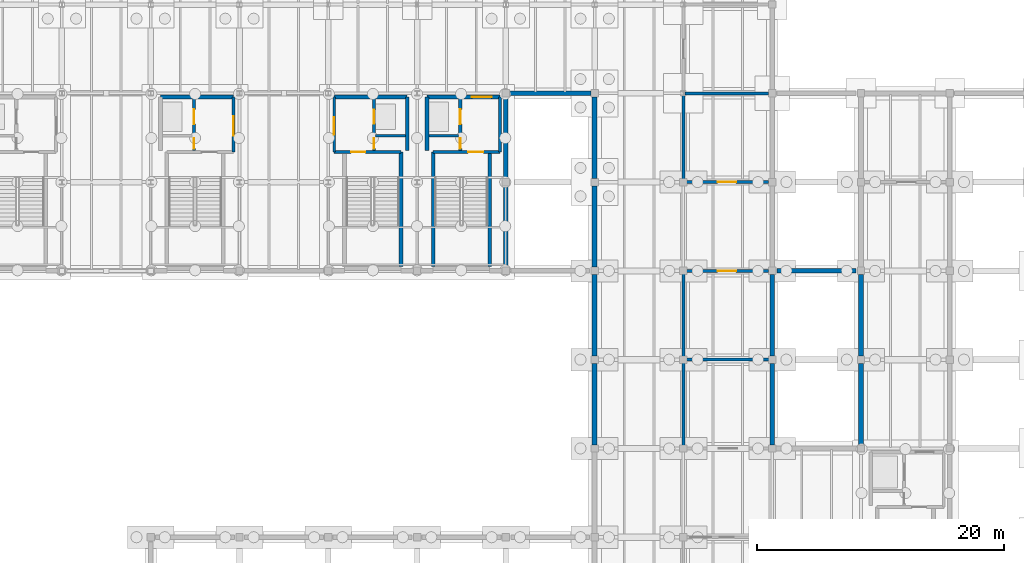
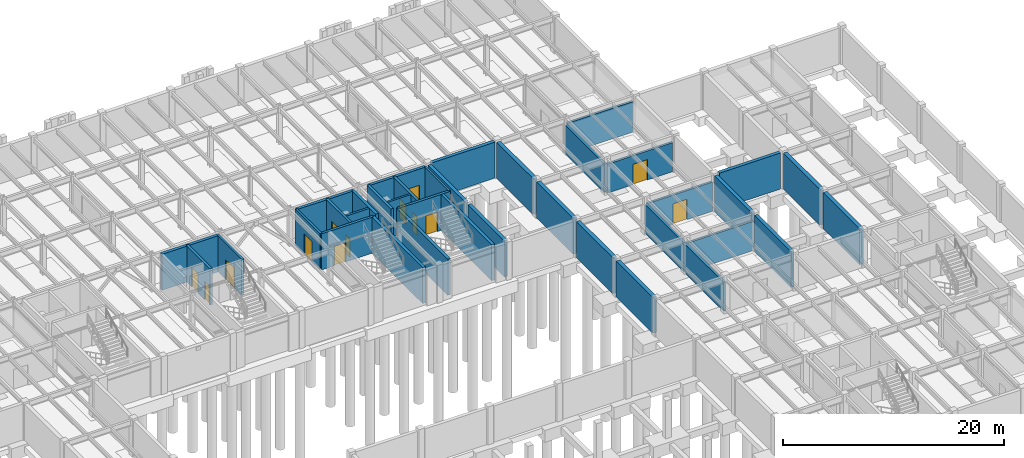
# One storey, part 36 of 46: 37 walls, 13 doors, 13 openings.
"""IFC4 building model written with IfcOpenShell, lengths in metres."""

import ifcopenshell
import ifcopenshell.guid

model = None  # the IFC model being written
_history = None  # IfcOwnerHistory: only IFC2X3 demands one
_inside = {}  # id of a spatial element -> (the spatial element, [elements in it])
_under = {}  # id of a project, library or spatial element -> (it, [spatial elements below it])
_declared = {}  # id of a project -> (the project, [libraries it declares])
_typed = {}  # id of a type object -> (the type object, [elements of that type])
_made_of = {}  # id of a material, layer set ... -> (it, [elements and type objects made of it])


def new_model(schema):
    """Start an empty IFC model of exactly this schema.

    Asked for "IFC4X3", IfcOpenShell would pick the latest addendum, in which some entities
    have other attributes; the version numbers below select the first issue.
    IFC2X3 requires an IfcOwnerHistory on every rooted entity: one is made here for all.
    """
    global model, _history
    if schema == "IFC4X3":
        model = ifcopenshell.file(schema_version=(4, 3, 0, 0))
    else:
        model = ifcopenshell.file(schema=schema)
    _inside.clear()
    _under.clear()
    _declared.clear()
    _typed.clear()
    _made_of.clear()
    _history = None
    if model.schema == "IFC2X3":
        org = make("IfcOrganization", Name="unknown")
        user = make(
            "IfcPersonAndOrganization",
            ThePerson=make("IfcPerson", FamilyName="unknown"),
            TheOrganization=org,
        )
        app = make(
            "IfcApplication",
            ApplicationDeveloper=org,
            Version="unknown",
            ApplicationFullName="unknown",
            ApplicationIdentifier="unknown",
        )
        _history = make(
            "IfcOwnerHistory",
            OwningUser=user,
            OwningApplication=app,
            ChangeAction="ADDED",
            CreationDate=0,
        )
    return model


def make(cls, **values):
    """One entity of the class cls with the attributes given. An attribute that is None is left unset."""
    return model.create_entity(
        cls, **{name: value for name, value in values.items() if value is not None}
    )


def rooted(cls, **values):
    """An entity with a GlobalId (a new one), such as an element, a storey or a relation."""
    return make(cls, GlobalId=ifcopenshell.guid.new(), OwnerHistory=_history, **values)


def si_unit(unit_type, name, prefix=None):
    """IfcSIUnit, for example si_unit("LENGTHUNIT", "METRE", prefix="MILLI")."""
    return make("IfcSIUnit", UnitType=unit_type, Prefix=prefix, Name=name)


def assignment(units):
    """IfcUnitAssignment: the units of a project."""
    return None if units is None else make("IfcUnitAssignment", Units=units)


def point(xyz):
    """IfcCartesianPoint."""
    return None if xyz is None else make("IfcCartesianPoint", Coordinates=xyz)


def direction(xyz):
    """IfcDirection."""
    return None if xyz is None else make("IfcDirection", DirectionRatios=xyz)


def frame(location, z_axis=None, x_axis=None):
    """IfcAxis2Placement3D, a coordinate frame: its origin and axes. An axis left out is left unset."""
    return make(
        "IfcAxis2Placement3D",
        Location=point(location),
        Axis=direction(z_axis),
        RefDirection=direction(x_axis),
    )


def frame_2d(location, x_axis=None):
    """IfcAxis2Placement2D, a coordinate frame in the plane: its origin and x axis."""
    return make(
        "IfcAxis2Placement2D", Location=point(location), RefDirection=direction(x_axis)
    )


def origin():
    """The frame at (0, 0, 0) with its axes left unset."""
    return frame((0.0, 0.0, 0.0))


def place(relative_to, where):
    """IfcLocalPlacement: puts the frame where relative to a parent placement (None: the world)."""
    return make(
        "IfcLocalPlacement", PlacementRelTo=relative_to, RelativePlacement=where
    )


def context(
    kind, dimensions, precision=None, world=None, true_north=None, identifier=None
):
    """IfcGeometricRepresentationContext, for example the 3D "Model" context."""
    return make(
        "IfcGeometricRepresentationContext",
        ContextIdentifier=identifier,
        ContextType=kind,
        CoordinateSpaceDimension=dimensions,
        Precision=precision,
        WorldCoordinateSystem=world,
        TrueNorth=true_north,
    )


def subcontext(parent, identifier, kind, view, scale=None):
    """IfcGeometricRepresentationSubContext, for example "Body" below "Model"."""
    return make(
        "IfcGeometricRepresentationSubContext",
        ContextIdentifier=identifier,
        ContextType=kind,
        ParentContext=parent,
        TargetScale=scale,
        TargetView=view,
    )


def project(units=None, contexts=None):
    """IfcProject with its units and contexts."""
    return rooted(
        "IfcProject",
        Name="project",
        RepresentationContexts=contexts,
        UnitsInContext=assignment(units),
    )


def spatial(cls, under=None, at=None, **own):
    """A site, building, storey or space (cls), placed at a placement, below another one or the project."""
    s = rooted(cls, ObjectPlacement=at, **own)
    if under is not None:
        _under.setdefault(under.id(), (under, []))[1].append(s)
    return s


def profile(cls, at=None, kind="AREA", **sizes):
    """A parametric profile (cls). Its sizes go by their IFC names, for example OverallWidth=200.0."""
    return make(cls, ProfileType=kind, Position=at, **sizes)


def rectangle(**sizes):
    """IfcRectangleProfileDef."""
    return profile("IfcRectangleProfileDef", **sizes)


def extrude(swept, where, along, depth):
    """IfcExtrudedAreaSolid: the profile swept, set in the frame where, extruded along a direction by depth."""
    return make(
        "IfcExtrudedAreaSolid",
        SweptArea=swept,
        Position=where,
        ExtrudedDirection=direction(along),
        Depth=depth,
    )


def shape(context_of_items, identifier, shape_type, items):
    """IfcShapeRepresentation: the items that make up one representation, for example the "Body"."""
    return make(
        "IfcShapeRepresentation",
        ContextOfItems=context_of_items,
        RepresentationIdentifier=identifier,
        RepresentationType=shape_type,
        Items=items,
    )


def material(Name=None, Category=None):
    """IfcMaterial."""
    return make("IfcMaterial", Name=Name, Category=Category)


def layer(
    of_material, thickness, ventilated=None, Name=None, Category=None, Priority=None
):
    """IfcMaterialLayer: one layer of a wall or slab, of a material (None: an air gap)."""
    return make(
        "IfcMaterialLayer",
        Material=of_material,
        LayerThickness=thickness,
        IsVentilated=ventilated,
        Name=Name,
        Category=Category,
        Priority=Priority,
    )


def layer_set(layers, Name=None):
    """IfcMaterialLayerSet."""
    return make("IfcMaterialLayerSet", MaterialLayers=layers, LayerSetName=Name)


def made_of(thing, what):
    """Note that an element or type object is made of a material, layer set ...; save() writes the relation."""
    if what is not None:
        _made_of.setdefault(what.id(), (what, []))[1].append(thing)
    return thing


def type_object(cls, material=None, **own):
    """A type object (cls), such as IfcWallType, which elements share."""
    return made_of(rooted(cls, **own), material)


def element(
    cls,
    number,
    at=None,
    inside=None,
    cuts=None,
    type_object=None,
    material=None,
    context=None,
    identifier="Body",
    shape_type=None,
    held_by="IfcProductDefinitionShape",
    body=None,
    shapes=None,
    **own,
):
    """One element of the class cls, such as IfcWall. Its Tag is "e" and its number.

    at: its placement. inside: the storey or other place that contains it. cuts: it is an
    opening in that element (IfcRelVoidsElement). A single representation is given by context,
    identifier, shape_type and body (its items); several are given by shapes. held_by: the class
    of the entity that holds the representations. save() writes the other relations.
    """
    e = rooted(cls, Tag="e%d" % number, ObjectPlacement=at, **own)
    if body is not None:
        shapes = [shape(context, identifier, shape_type, body)]
    if shapes is not None:
        e.Representation = make(held_by, Representations=shapes)
    if inside is not None:
        _inside.setdefault(inside.id(), (inside, []))[1].append(e)
    if cuts is not None:
        rooted(
            "IfcRelVoidsElement", RelatingBuildingElement=cuts, RelatedOpeningElement=e
        )
    if type_object is not None:
        _typed.setdefault(type_object.id(), (type_object, []))[1].append(e)
    return made_of(e, material)


def fill(opening, filler):
    """IfcRelFillsElement: the door or window that sits in an opening."""
    return rooted(
        "IfcRelFillsElement",
        RelatingOpeningElement=opening,
        RelatedBuildingElement=filler,
    )


def aggregate(whole, parts):
    """IfcRelAggregates: a whole, such as a stair, and the parts it consists of."""
    return rooted("IfcRelAggregates", RelatingObject=whole, RelatedObjects=parts)


def save(model, path):
    """Write the relations noted so far, then the file.

    IfcRelAggregates (storeys below a building ...), IfcRelContainedInSpatialStructure (elements
    in a storey), IfcRelDefinesByType, IfcRelAssociatesMaterial and IfcRelDeclares: one each for
    every whole, place, type object, material and project.
    """
    for whole, parts in _under.values():
        aggregate(whole, parts)
    for where, things in _inside.values():
        rooted(
            "IfcRelContainedInSpatialStructure",
            RelatedElements=things,
            RelatingStructure=where,
        )
    for kind, things in _typed.values():
        rooted("IfcRelDefinesByType", RelatedObjects=things, RelatingType=kind)
    for what, things in _made_of.values():
        rooted("IfcRelAssociatesMaterial", RelatedObjects=things, RelatingMaterial=what)
    for by, libraries in _declared.values():
        rooted("IfcRelDeclares", RelatingContext=by, RelatedDefinitions=libraries)
    model.write(path)


model = new_model("IFC4")

# Units and contexts
model_context = context("Model", 3, precision=1e-05, world=origin(), true_north=direction((0.0, 1.0)))
body_context = subcontext(model_context, "Body", "Model", "MODEL_VIEW")
ifc_project = project(units=[si_unit("LENGTHUNIT", "METRE"), si_unit("AREAUNIT", "SQUARE_METRE"), si_unit("VOLUMEUNIT", "CUBIC_METRE"), si_unit("PLANEANGLEUNIT", "RADIAN"), si_unit("MASSUNIT", "GRAM", prefix="KILO")], contexts=[model_context])

# Site, building, storey
site_placement = place(None, origin())
site = spatial("IfcSite", under=ifc_project, at=site_placement, CompositionType="ELEMENT")
building_placement = place(site_placement, origin())
building = spatial("IfcBuilding", under=site, at=building_placement, Name="Sillqori Civic Hall", CompositionType="ELEMENT")
storey_placement = place(building_placement, frame((0.0, 0.0, -4.199951171875)))
storey = spatial("IfcBuildingStorey", under=building, at=storey_placement, Name="B01", CompositionType="ELEMENT", Elevation=-4.199951171875)

# Wall, opening, door
ifc_material_1 = material(Name="Concrete C35/45 (H35)", Category="concrete")
ifc_layer_1 = layer(ifc_material_1, 0.219970703125)
ifc_layer_set_1 = layer_set([ifc_layer_1], Name="Concrete C35/45 (H35)")
wall_type_1 = type_object("IfcWallType", Name="CW-SHR-220", PredefinedType="SHEAR", material=ifc_layer_set_1)
wall_1_placement = place(storey_placement, frame((71.52001953125, 93.300048828125, 0.0), z_axis=(0.0, 0.0, 1.0), x_axis=(0.0, -1.0, 0.0)))
wall_1 = element("IfcWall", 1, at=wall_1_placement, inside=storey, type_object=wall_type_1, Name="B01 C6 firefighting lobby enclosure wall", PredefinedType="SHEAR", context=body_context, shape_type="SweptSolid", body=[
    extrude(rectangle(XDim=4.449951171875, YDim=0.219970703125, at=frame_2d((2.22509765625, 0.0))), origin(), (0.0, 0.0, 1.0), 3.97998046875),
])
opening_1_placement = place(wall_1_placement, frame((1.550048828125, 0.0, 0.0)))
opening_1 = element("IfcOpeningElement", 2, at=opening_1_placement, cuts=wall_1, Name="Opening FD-04", PredefinedType="OPENING", context=body_context, shape_type="SweptSolid", body=[
    extrude(rectangle(XDim=1.60009765625, YDim=2.199951171875, at=frame_2d((0.800048828125, 1.10009765625))), frame((0.0, 0.119873046875, 0.0), z_axis=(0.0, -1.0, 0.0), x_axis=(1.0, 0.0, 0.0)), (0.0, 0.0, 1.0), 0.239990234375),
])
ifc_material_2 = material(Name="Double-Leaf Firefighting Lobby Door", Category="steel")
door_type_1 = type_object("IfcDoorType", Name="FDR-LOB-160X220", OperationType="NOTDEFINED", PredefinedType="DOOR", material=ifc_material_2)
door_1_placement = place(opening_1_placement, origin())
door_1 = element("IfcDoor", 3, at=door_1_placement, inside=storey, type_object=door_type_1, Name="B01 C6 firefighting lobby exit door", OperationType="DOUBLE_DOOR_SINGLE_SWING", OverallHeight=2.199951171875, OverallWidth=1.60009765625, PredefinedType="DOOR", context=body_context, shape_type="SweptSolid", body=[
    extrude(rectangle(XDim=1.60009765625, YDim=2.199951171875, at=frame_2d((0.800048828125, 1.10009765625))), frame((0.0, 0.02490234375, 0.0), z_axis=(0.0, -1.0, 0.0), x_axis=(1.0, 0.0, 0.0)), (0.0, 0.0, 1.0), 0.050048828125),
])
fill(opening_1, door_1)

# Wall
wall_2_placement = place(storey_placement, frame((83.050048828125, 90.14990234375, 0.0), z_axis=(0.0, 0.0, 1.0), x_axis=(1.0, 0.0, 0.0)))
element("IfcWall", 4, at=wall_2_placement, inside=storey, type_object=wall_type_1, Name="B01 C7 Lift-riser divider wall", PredefinedType="SHEAR", context=body_context, shape_type="SweptSolid", body=[
    extrude(rectangle(XDim=2.39990234375, YDim=0.219970703125, at=frame_2d((1.199951171875, 0.0))), origin(), (0.0, 0.0, 1.0), 3.97998046875),
])

# Wall, opening, door
wall_3_placement = place(storey_placement, frame((79.679931640625, 88.85009765625, 0.0), z_axis=(0.0, 0.0, 1.0), x_axis=(0.0, 1.0, 0.0)))
wall_3 = element("IfcWall", 5, at=wall_3_placement, inside=storey, type_object=wall_type_1, Name="B01 C7 firefighting lobby enclosure wall", PredefinedType="SHEAR", context=body_context, shape_type="SweptSolid", body=[
    extrude(rectangle(XDim=4.449951171875, YDim=0.219970703125, at=frame_2d((2.22509765625, 0.0))), origin(), (0.0, 0.0, 1.0), 3.97998046875),
])
opening_2_placement = place(wall_3_placement, frame((1.375, 0.0, 0.0)))
opening_2 = element("IfcOpeningElement", 6, at=opening_2_placement, cuts=wall_3, Name="Opening FD-03", PredefinedType="OPENING", context=body_context, shape_type="SweptSolid", body=[
    extrude(rectangle(XDim=1.449951171875, YDim=2.199951171875, at=frame_2d((0.72509765625, 1.10009765625))), frame((0.0, 0.119873046875, 0.0), z_axis=(0.0, -1.0, 0.0), x_axis=(1.0, 0.0, 0.0)), (0.0, 0.0, 1.0), 0.239990234375),
])
ifc_material_3 = material(Name="Double-Leaf Smoke-Seal Lobby Door", Category="steel")
door_type_2 = type_object("IfcDoorType", Name="FDR-LOB-145X220", OperationType="NOTDEFINED", PredefinedType="DOOR", material=ifc_material_3)
door_2_placement = place(opening_2_placement, origin())
door_2 = element("IfcDoor", 7, at=door_2_placement, inside=storey, type_object=door_type_2, Name="B01 C7 firefighting lobby exit door", OperationType="DOUBLE_DOOR_SINGLE_SWING", OverallHeight=2.199951171875, OverallWidth=1.449951171875, PredefinedType="DOOR", context=body_context, shape_type="SweptSolid", body=[
    extrude(rectangle(XDim=1.449951171875, YDim=2.199951171875, at=frame_2d((0.72509765625, 1.10009765625))), frame((0.0, 0.02490234375, 0.0), z_axis=(0.0, -1.0, 0.0), x_axis=(1.0, 0.0, 0.0)), (0.0, 0.0, 1.0), 0.050048828125),
])
fill(opening_2, door_2)

# Walls
wall_4_placement = place(storey_placement, frame((87.35009765625, 90.14990234375, 0.0), z_axis=(0.0, 0.0, 1.0), x_axis=(1.0, 0.0, 0.0)))
element("IfcWall", 8, at=wall_4_placement, inside=storey, type_object=wall_type_1, Name="B01 C8 Lift-riser divider wall", PredefinedType="SHEAR", context=body_context, shape_type="SweptSolid", body=[
    extrude(rectangle(XDim=2.39990234375, YDim=0.219970703125, at=frame_2d((1.199951171875, 0.0))), origin(), (0.0, 0.0, 1.0), 3.97998046875),
])
wall_5_placement = place(storey_placement, frame((93.1201171875, 93.300048828125, 0.0), z_axis=(0.0, 0.0, 1.0), x_axis=(0.0, -1.0, 0.0)))
element("IfcWall", 9, at=wall_5_placement, inside=storey, type_object=wall_type_1, Name="B01 C8 firefighting lobby enclosure wall", PredefinedType="SHEAR", context=body_context, shape_type="SweptSolid", body=[
    extrude(rectangle(XDim=4.449951171875, YDim=0.219970703125, at=frame_2d((2.22509765625, 0.0))), origin(), (0.0, 0.0, 1.0), 3.97998046875),
])

# Wall, openings, doors
ifc_layer_2 = layer(ifc_material_1, 0.260009765625)
ifc_layer_set_2 = layer_set([ifc_layer_2], Name="Concrete C35/45 (H35)")
wall_type_2 = type_object("IfcWallType", Name="CW-SHR-260", PredefinedType="SHEAR", material=ifc_layer_set_2)
wall_6_placement = place(storey_placement, frame((68.300048828125, 93.300048828125, 0.0), z_axis=(0.0, 0.0, 1.0), x_axis=(0.0, -1.0, 0.0)))
wall_6 = element("IfcWall", 10, at=wall_6_placement, inside=storey, type_object=wall_type_2, Name="B01 C6 Lift landing & riser front wall", PredefinedType="SHEAR", context=body_context, shape_type="SweptSolid", body=[
    extrude(rectangle(XDim=4.320068359375, YDim=0.260009765625, at=frame_2d((2.16015625, 0.0))), origin(), (0.0, 0.0, 1.0), 3.97998046875),
])
opening_3_placement = place(wall_6_placement, frame((1.0, 0.0, 0.0)))
opening_3 = element("IfcOpeningElement", 11, at=opening_3_placement, cuts=wall_6, Name="Opening LD-02", PredefinedType="OPENING", context=body_context, shape_type="SweptSolid", body=[
    extrude(rectangle(XDim=1.199951171875, YDim=2.14990234375, at=frame_2d((0.60009765625, 1.074951171875))), frame((0.0, 0.139892578125, 0.0), z_axis=(0.0, -1.0, 0.0), x_axis=(1.0, 0.0, 0.0)), (0.0, 0.0, 1.0), 0.280029296875),
])
opening_4_placement = place(wall_6_placement, frame((3.324951171875, 0.0, 0.0)))
opening_4 = element("IfcOpeningElement", 12, at=opening_4_placement, cuts=wall_6, Name="Opening FD-05", PredefinedType="OPENING", context=body_context, shape_type="SweptSolid", body=[
    extrude(rectangle(XDim=0.85009765625, YDim=2.050048828125, at=frame_2d((0.425048828125, 1.02490234375))), frame((0.0, 0.139892578125, 0.0), z_axis=(0.0, -1.0, 0.0), x_axis=(1.0, 0.0, 0.0)), (0.0, 0.0, 1.0), 0.280029296875),
])
ifc_material_4 = material(Name="Steel Riser Access Fire Door", Category="steel")
door_type_3 = type_object("IfcDoorType", Name="FDR-RSR-085X205", OperationType="NOTDEFINED", PredefinedType="DOOR", material=ifc_material_4)
door_3_placement = place(opening_4_placement, origin())
door_3 = element("IfcDoor", 13, at=door_3_placement, inside=storey, type_object=door_type_3, Name="B01 MEP riser C6 fire access door", OperationType="SINGLE_SWING_LEFT", OverallHeight=2.050048828125, OverallWidth=0.85009765625, PredefinedType="DOOR", context=body_context, shape_type="SweptSolid", body=[
    extrude(rectangle(XDim=0.85009765625, YDim=2.050048828125, at=frame_2d((0.425048828125, 1.02490234375))), frame((0.0, 0.02490234375, 0.0), z_axis=(0.0, -1.0, 0.0), x_axis=(1.0, 0.0, 0.0)), (0.0, 0.0, 1.0), 0.050048828125),
])
fill(opening_4, door_3)
ifc_material_5 = material(Name="Firefighting Lift Landing Door", Category="steel")
door_type_4 = type_object("IfcDoorType", Name="LDR-FIRE-120X215", OperationType="NOTDEFINED", PredefinedType="DOOR", material=ifc_material_5)
door_4_placement = place(opening_3_placement, origin())
door_4 = element("IfcDoor", 14, at=door_4_placement, inside=storey, type_object=door_type_4, Name="B01 lift LF-01 sliding landing door", OperationType="DOUBLE_DOOR_SLIDING", OverallHeight=2.14990234375, OverallWidth=1.199951171875, PredefinedType="DOOR", context=body_context, shape_type="SweptSolid", body=[
    extrude(rectangle(XDim=1.199951171875, YDim=2.14990234375, at=frame_2d((0.60009765625, 1.074951171875))), frame((0.0, 0.02490234375, 0.0), z_axis=(0.0, -1.0, 0.0), x_axis=(1.0, 0.0, 0.0)), (0.0, 0.0, 1.0), 0.050048828125),
])
fill(opening_3, door_4)

# Wall, opening, door
wall_7_placement = place(storey_placement, frame((79.679931640625, 88.85009765625, 0.0), z_axis=(0.0, 0.0, 1.0), x_axis=(1.0, 0.0, 0.0)))
wall_7 = element("IfcWall", 15, at=wall_7_placement, inside=storey, type_object=wall_type_2, Name="B01 C7 Stair-lobby fire wall", PredefinedType="SHEAR", context=body_context, shape_type="SweptSolid", body=[
    extrude(rectangle(XDim=5.41015625, YDim=0.260009765625, at=frame_2d((2.705078125, 0.0))), origin(), (0.0, 0.0, 1.0), 3.97998046875),
])
opening_5_placement = place(wall_7_placement, frame((1.3701171875, 0.0, 0.0)))
opening_5 = element("IfcOpeningElement", 16, at=opening_5_placement, cuts=wall_7, Name="Opening FD-01", PredefinedType="OPENING", context=body_context, shape_type="SweptSolid", body=[
    extrude(rectangle(XDim=1.14990234375, YDim=2.14990234375, at=frame_2d((0.574951171875, 1.074951171875))), frame((0.0, 0.139892578125, 0.0), z_axis=(0.0, -1.0, 0.0), x_axis=(1.0, 0.0, 0.0)), (0.0, 0.0, 1.0), 0.280029296875),
])
ifc_material_6 = material(Name="Galvanized Steel Fire Door FD90S", Category="steel")
door_type_5 = type_object("IfcDoorType", Name="FDR-STR-115X215", OperationType="NOTDEFINED", PredefinedType="DOOR", material=ifc_material_6)
door_5_placement = place(opening_5_placement, origin())
door_5 = element("IfcDoor", 17, at=door_5_placement, inside=storey, type_object=door_type_5, Name="B01 stair ST-07 fire door", OperationType="SINGLE_SWING_RIGHT", OverallHeight=2.14990234375, OverallWidth=1.14990234375, PredefinedType="DOOR", context=body_context, shape_type="SweptSolid", body=[
    extrude(rectangle(XDim=1.14990234375, YDim=2.14990234375, at=frame_2d((0.574951171875, 1.074951171875))), frame((0.0, 0.02490234375, 0.0), z_axis=(0.0, -1.0, 0.0), x_axis=(1.0, 0.0, 0.0)), (0.0, 0.0, 1.0), 0.050048828125),
])
fill(opening_5, door_5)

# Wall, openings, doors
wall_8_placement = place(storey_placement, frame((82.89990234375, 88.97998046875, 0.0), z_axis=(0.0, 0.0, 1.0), x_axis=(0.0, 1.0, 0.0)))
wall_8 = element("IfcWall", 18, at=wall_8_placement, inside=storey, type_object=wall_type_2, Name="B01 C7 Lift landing & riser front wall", PredefinedType="SHEAR", context=body_context, shape_type="SweptSolid", body=[
    extrude(rectangle(XDim=4.320068359375, YDim=0.260009765625, at=frame_2d((2.16015625, 0.0))), origin(), (0.0, 0.0, 1.0), 3.97998046875),
])
opening_6_placement = place(wall_8_placement, frame((2.169921875, 0.0, 0.0)))
opening_6 = element("IfcOpeningElement", 19, at=opening_6_placement, cuts=wall_8, Name="Opening LD-01", PredefinedType="OPENING", context=body_context, shape_type="SweptSolid", body=[
    extrude(rectangle(XDim=1.10009765625, YDim=2.14990234375, at=frame_2d((0.550048828125, 1.074951171875))), frame((0.0, 0.139892578125, 0.0), z_axis=(0.0, -1.0, 0.0), x_axis=(1.0, 0.0, 0.0)), (0.0, 0.0, 1.0), 0.280029296875),
])
opening_7_placement = place(wall_8_placement, frame((0.14501953125, 0.0, 0.0)))
opening_7 = element("IfcOpeningElement", 20, at=opening_7_placement, cuts=wall_8, Name="Opening FD-05", PredefinedType="OPENING", context=body_context, shape_type="SweptSolid", body=[
    extrude(rectangle(XDim=0.85009765625, YDim=2.050048828125, at=frame_2d((0.425048828125, 1.02490234375))), frame((0.0, 0.139892578125, 0.0), z_axis=(0.0, -1.0, 0.0), x_axis=(1.0, 0.0, 0.0)), (0.0, 0.0, 1.0), 0.280029296875),
])
door_6_placement = place(opening_7_placement, origin())
door_6 = element("IfcDoor", 21, at=door_6_placement, inside=storey, type_object=door_type_3, Name="B01 MEP riser C7 fire access door", OperationType="SINGLE_SWING_LEFT", OverallHeight=2.050048828125, OverallWidth=0.85009765625, PredefinedType="DOOR", context=body_context, shape_type="SweptSolid", body=[
    extrude(rectangle(XDim=0.85009765625, YDim=2.050048828125, at=frame_2d((0.425048828125, 1.02490234375))), frame((0.0, 0.02490234375, 0.0), z_axis=(0.0, -1.0, 0.0), x_axis=(1.0, 0.0, 0.0)), (0.0, 0.0, 1.0), 0.050048828125),
])
fill(opening_7, door_6)
ifc_material_7 = material(Name="Stainless Steel Lift Landing Door", Category="steel")
door_type_6 = type_object("IfcDoorType", Name="LDR-PASS-110X215", OperationType="NOTDEFINED", PredefinedType="DOOR", material=ifc_material_7)
door_7_placement = place(opening_6_placement, origin())
door_7 = element("IfcDoor", 22, at=door_7_placement, inside=storey, type_object=door_type_6, Name="B01 lift LF-04 sliding landing door", OperationType="DOUBLE_DOOR_SLIDING", OverallHeight=2.14990234375, OverallWidth=1.10009765625, PredefinedType="DOOR", context=body_context, shape_type="SweptSolid", body=[
    extrude(rectangle(XDim=1.10009765625, YDim=2.14990234375, at=frame_2d((0.550048828125, 1.074951171875))), frame((0.0, 0.02490234375, 0.0), z_axis=(0.0, -1.0, 0.0), x_axis=(1.0, 0.0, 0.0)), (0.0, 0.0, 1.0), 0.050048828125),
])
fill(opening_6, door_7)

# Wall, opening, door
wall_9_placement = place(storey_placement, frame((87.7099609375, 88.85009765625, 0.0), z_axis=(0.0, 0.0, 1.0), x_axis=(1.0, 0.0, 0.0)))
wall_9 = element("IfcWall", 23, at=wall_9_placement, inside=storey, type_object=wall_type_2, Name="B01 C8 Stair-lobby fire wall", PredefinedType="SHEAR", context=body_context, shape_type="SweptSolid", body=[
    extrude(rectangle(XDim=5.41015625, YDim=0.260009765625, at=frame_2d((2.705078125, 0.0))), origin(), (0.0, 0.0, 1.0), 3.97998046875),
])
opening_8_placement = place(wall_9_placement, frame((2.840087890625, 0.0, 0.0)))
opening_8 = element("IfcOpeningElement", 24, at=opening_8_placement, cuts=wall_9, Name="Opening FD-02", PredefinedType="OPENING", context=body_context, shape_type="SweptSolid", body=[
    extrude(rectangle(XDim=1.219970703125, YDim=2.14990234375, at=frame_2d((0.60986328125, 1.074951171875))), frame((0.0, 0.139892578125, 0.0), z_axis=(0.0, -1.0, 0.0), x_axis=(1.0, 0.0, 0.0)), (0.0, 0.0, 1.0), 0.280029296875),
])
ifc_material_8 = material(Name="Galvanized Steel Fire Door FD120S", Category="steel")
door_type_7 = type_object("IfcDoorType", Name="FDR-STR-122X215", OperationType="NOTDEFINED", PredefinedType="DOOR", material=ifc_material_8)
door_8_placement = place(opening_8_placement, origin())
door_8 = element("IfcDoor", 25, at=door_8_placement, inside=storey, type_object=door_type_7, Name="B01 stair ST-08 fire door", OperationType="SINGLE_SWING_RIGHT", OverallHeight=2.14990234375, OverallWidth=1.219970703125, PredefinedType="DOOR", context=body_context, shape_type="SweptSolid", body=[
    extrude(rectangle(XDim=1.219970703125, YDim=2.14990234375, at=frame_2d((0.60986328125, 1.074951171875))), frame((0.0, 0.02490234375, 0.0), z_axis=(0.0, -1.0, 0.0), x_axis=(1.0, 0.0, 0.0)), (0.0, 0.0, 1.0), 0.050048828125),
])
fill(opening_8, door_8)

# Wall, openings, doors
wall_10_placement = place(storey_placement, frame((89.89990234375, 93.300048828125, 0.0), z_axis=(0.0, 0.0, 1.0), x_axis=(0.0, -1.0, 0.0)))
wall_10 = element("IfcWall", 26, at=wall_10_placement, inside=storey, type_object=wall_type_2, Name="B01 C8 Lift landing & riser front wall", PredefinedType="SHEAR", context=body_context, shape_type="SweptSolid", body=[
    extrude(rectangle(XDim=4.320068359375, YDim=0.260009765625, at=frame_2d((2.16015625, 0.0))), origin(), (0.0, 0.0, 1.0), 3.97998046875),
])
opening_9_placement = place(wall_10_placement, frame((1.0, 0.0, 0.0)))
opening_9 = element("IfcOpeningElement", 27, at=opening_9_placement, cuts=wall_10, Name="Opening LD-02", PredefinedType="OPENING", context=body_context, shape_type="SweptSolid", body=[
    extrude(rectangle(XDim=1.199951171875, YDim=2.14990234375, at=frame_2d((0.60009765625, 1.074951171875))), frame((0.0, 0.139892578125, 0.0), z_axis=(0.0, -1.0, 0.0), x_axis=(1.0, 0.0, 0.0)), (0.0, 0.0, 1.0), 0.280029296875),
])
opening_10_placement = place(wall_10_placement, frame((3.324951171875, 0.0, 0.0)))
opening_10 = element("IfcOpeningElement", 28, at=opening_10_placement, cuts=wall_10, Name="Opening FD-05", PredefinedType="OPENING", context=body_context, shape_type="SweptSolid", body=[
    extrude(rectangle(XDim=0.85009765625, YDim=2.050048828125, at=frame_2d((0.425048828125, 1.02490234375))), frame((0.0, 0.139892578125, 0.0), z_axis=(0.0, -1.0, 0.0), x_axis=(1.0, 0.0, 0.0)), (0.0, 0.0, 1.0), 0.280029296875),
])
door_9_placement = place(opening_10_placement, origin())
door_9 = element("IfcDoor", 29, at=door_9_placement, inside=storey, type_object=door_type_3, Name="B01 MEP riser C8 fire access door", OperationType="SINGLE_SWING_LEFT", OverallHeight=2.050048828125, OverallWidth=0.85009765625, PredefinedType="DOOR", context=body_context, shape_type="SweptSolid", body=[
    extrude(rectangle(XDim=0.85009765625, YDim=2.050048828125, at=frame_2d((0.425048828125, 1.02490234375))), frame((0.0, 0.02490234375, 0.0), z_axis=(0.0, -1.0, 0.0), x_axis=(1.0, 0.0, 0.0)), (0.0, 0.0, 1.0), 0.050048828125),
])
fill(opening_10, door_9)
door_10_placement = place(opening_9_placement, origin())
door_10 = element("IfcDoor", 30, at=door_10_placement, inside=storey, type_object=door_type_4, Name="B01 lift LF-02 sliding landing door", OperationType="DOUBLE_DOOR_SLIDING", OverallHeight=2.14990234375, OverallWidth=1.199951171875, PredefinedType="DOOR", context=body_context, shape_type="SweptSolid", body=[
    extrude(rectangle(XDim=1.199951171875, YDim=2.14990234375, at=frame_2d((0.60009765625, 1.074951171875))), frame((0.0, 0.02490234375, 0.0), z_axis=(0.0, -1.0, 0.0), x_axis=(1.0, 0.0, 0.0)), (0.0, 0.0, 1.0), 0.050048828125),
])
fill(opening_9, door_10)

# Walls
ifc_layer_3 = layer(ifc_material_1, 0.300048828125)
ifc_layer_set_3 = layer_set([ifc_layer_3], Name="Concrete C35/45 (H35)")
wall_type_3 = type_object("IfcWallType", Name="CW-SHR-300", PredefinedType="SHEAR", material=ifc_layer_set_3)
wall_11_placement = place(storey_placement, frame((65.60009765625, 93.300048828125, 0.0), z_axis=(0.0, 0.0, 1.0), x_axis=(1.0, 0.0, 0.0)))
element("IfcWall", 31, at=wall_11_placement, inside=storey, type_object=wall_type_3, Name="B01 C6 Core north shear wall", PredefinedType="SHEAR", context=body_context, shape_type="SweptSolid", body=[
    extrude(rectangle(XDim=5.919921875, YDim=0.300048828125, at=frame_2d((2.9599609375, 0.0))), origin(), (0.0, 0.0, 1.0), 3.97998046875),
])
wall_12_placement = place(storey_placement, frame((85.090087890625, 79.550048828125, 0.0), z_axis=(0.0, 0.0, 1.0), x_axis=(0.0, 1.0, 0.0)))
element("IfcWall", 32, at=wall_12_placement, inside=storey, type_object=wall_type_3, Name="B01 C7 Stair east shear wall", PredefinedType="SHEAR", context=body_context, shape_type="SweptSolid", body=[
    extrude(rectangle(XDim=9.300048828125, YDim=0.300048828125, at=frame_2d((4.64990234375, 0.0))), origin(), (0.0, 0.0, 1.0), 3.97998046875),
])
wall_13_placement = place(storey_placement, frame((85.60009765625, 88.97998046875, 0.0), z_axis=(0.0, 0.0, 1.0), x_axis=(0.0, 1.0, 0.0)))
element("IfcWall", 33, at=wall_13_placement, inside=storey, type_object=wall_type_3, Name="B01 C7 Lift shaft east shear wall", PredefinedType="SHEAR", context=body_context, shape_type="SweptSolid", body=[
    extrude(rectangle(XDim=4.320068359375, YDim=0.300048828125, at=frame_2d((2.16015625, 0.0))), origin(), (0.0, 0.0, 1.0), 3.97998046875),
])
wall_14_placement = place(storey_placement, frame((79.679931640625, 93.300048828125, 0.0), z_axis=(0.0, 0.0, 1.0), x_axis=(1.0, 0.0, 0.0)))
element("IfcWall", 34, at=wall_14_placement, inside=storey, type_object=wall_type_3, Name="B01 C7 Core north shear wall", PredefinedType="SHEAR", context=body_context, shape_type="SweptSolid", body=[
    extrude(rectangle(XDim=5.920166015625, YDim=0.300048828125, at=frame_2d((2.9599609375, 0.0))), origin(), (0.0, 0.0, 1.0), 3.97998046875),
])
for number, where, z_axis, x_axis, name in (
    (35, (87.7099609375, 79.550048828125, 0.0), (0.0, 0.0, 1.0), (0.0, 1.0, 0.0), "B01 C8 Stair west shear wall"),
    (36, (92.2900390625, 79.550048828125, 0.0), (0.0, 0.0, 1.0), (0.0, 1.0, 0.0), "B01 C8 Stair east shear wall"),
):
    element("IfcWall", number, at=place(storey_placement, frame(where, z_axis=z_axis, x_axis=x_axis)), inside=storey, type_object=wall_type_3, Name=name, PredefinedType="SHEAR", context=body_context, shape_type="SweptSolid", body=[
        extrude(rectangle(XDim=9.300048828125, YDim=0.300048828125, at=frame_2d((4.64990234375, 0.0))), origin(), (0.0, 0.0, 1.0), 3.97998046875),
    ])
wall_15_placement = place(storey_placement, frame((87.199951171875, 88.97998046875, 0.0), z_axis=(0.0, 0.0, 1.0), x_axis=(0.0, 1.0, 0.0)))
element("IfcWall", 37, at=wall_15_placement, inside=storey, type_object=wall_type_3, Name="B01 C8 Lift shaft west shear wall", PredefinedType="SHEAR", context=body_context, shape_type="SweptSolid", body=[
    extrude(rectangle(XDim=4.320068359375, YDim=0.300048828125, at=frame_2d((2.16015625, 0.0))), origin(), (0.0, 0.0, 1.0), 3.97998046875),
])

# Wall, opening, door
wall_16_placement = place(storey_placement, frame((87.199951171875, 93.300048828125, 0.0), z_axis=(0.0, 0.0, 1.0), x_axis=(1.0, 0.0, 0.0)))
wall_16 = element("IfcWall", 38, at=wall_16_placement, inside=storey, type_object=wall_type_3, Name="B01 C8 Core north shear wall", PredefinedType="SHEAR", context=body_context, shape_type="SweptSolid", body=[
    extrude(rectangle(XDim=5.920166015625, YDim=0.300048828125, at=frame_2d((2.9599609375, 0.0))), origin(), (0.0, 0.0, 1.0), 3.97998046875),
])
opening_11_placement = place(wall_16_placement, frame((3.64990234375, 0.0, 0.0)))
opening_11 = element("IfcOpeningElement", 39, at=opening_11_placement, cuts=wall_16, Name="Opening FD-04", PredefinedType="OPENING", context=body_context, shape_type="SweptSolid", body=[
    extrude(rectangle(XDim=1.60009765625, YDim=2.199951171875, at=frame_2d((0.800048828125, 1.10009765625))), frame((0.0, 0.159912109375, 0.0), z_axis=(0.0, -1.0, 0.0), x_axis=(1.0, 0.0, 0.0)), (0.0, 0.0, 1.0), 0.320068359375),
])
door_11_placement = place(opening_11_placement, origin())
door_11 = element("IfcDoor", 40, at=door_11_placement, inside=storey, type_object=door_type_1, Name="B01 C8 firefighting lobby north exit door", OperationType="DOUBLE_DOOR_SINGLE_SWING", OverallHeight=2.199951171875, OverallWidth=1.60009765625, PredefinedType="DOOR", context=body_context, shape_type="SweptSolid", body=[
    extrude(rectangle(XDim=1.60009765625, YDim=2.199951171875, at=frame_2d((0.800048828125, 1.10009765625))), frame((0.0, 0.02490234375, 0.0), z_axis=(0.0, -1.0, 0.0), x_axis=(1.0, 0.0, 0.0)), (0.0, 0.0, 1.0), 0.050048828125),
])
fill(opening_11, door_11)

# Walls
ifc_material_9 = material(Name="Concrete C25/30 (H25)", Category="concrete")
ifc_layer_4 = layer(ifc_material_9, 0.25)
ifc_layer_set_4 = layer_set([ifc_layer_4], Name="Concrete C25/30 (H25)")
wall_type_4 = type_object("IfcWallType", Name="PT-PLT-250", PredefinedType="PARTITIONING", material=ifc_layer_set_4)
for number, where, z_axis, x_axis, name in (
    (41, (108.1201171875, 72.0, 0.0), (0.0, 0.0, 1.0), (1.0, 0.0, 0.0), "Main Medium-Voltage Transformer Room B01-06 partition N2"),
    (42, (108.0, 64.919921875, 0.0), (0.0, 0.0, 1.0), (0.0, 1.0, 0.0), "Main Medium-Voltage Transformer Room B01-06 partition W3"),
):
    element("IfcWall", number, at=place(storey_placement, frame(where, z_axis=z_axis, x_axis=x_axis)), inside=storey, type_object=wall_type_4, Name=name, PredefinedType="PARTITIONING", context=body_context, shape_type="SweptSolid", body=[
        extrude(rectangle(XDim=6.9599609375, YDim=0.25, at=frame_2d((3.47998046875, 0.0))), origin(), (0.0, 0.0, 1.0), 3.2080078125),
    ])

# Wall, opening, door
wall_17_placement = place(storey_placement, frame((108.1201171875, 79.199951171875, 0.0), z_axis=(0.0, 0.0, 1.0), x_axis=(1.0, 0.0, 0.0)))
wall_17 = element("IfcWall", 43, at=wall_17_placement, inside=storey, type_object=wall_type_4, Name="Emergency Standby Generator Hall B01-07 partition N1", PredefinedType="PARTITIONING", context=body_context, shape_type="SweptSolid", body=[
    extrude(rectangle(XDim=6.7998046875, YDim=0.25, at=frame_2d((3.39990234375, 0.0))), origin(), (0.0, 0.0, 1.0), 3.2080078125),
])
opening_12_placement = place(wall_17_placement, frame((2.64990234375, 0.0, 0.0)))
opening_12 = element("IfcOpeningElement", 44, at=opening_12_placement, cuts=wall_17, Name="Opening FD-07", PredefinedType="OPENING", context=body_context, shape_type="SweptSolid", body=[
    extrude(rectangle(XDim=1.5, YDim=2.25, at=frame_2d((0.75, 1.125))), frame((0.0, 0.135009765625, 0.0), z_axis=(0.0, -1.0, 0.0), x_axis=(1.0, 0.0, 0.0)), (0.0, 0.0, 1.0), 0.27001953125),
])
ifc_material_10 = material(Name="Double-Leaf Plant Room Fire Door", Category="steel")
door_type_8 = type_object("IfcDoorType", Name="FDR-PLT-150X225", OperationType="NOTDEFINED", PredefinedType="DOOR", material=ifc_material_10)
door_12_placement = place(opening_12_placement, origin())
door_12 = element("IfcDoor", 45, at=door_12_placement, inside=storey, type_object=door_type_8, Name="Emergency Standby Generator Hall B01-07 entrance door", OperationType="DOUBLE_DOOR_SINGLE_SWING", OverallHeight=2.25, OverallWidth=1.5, PredefinedType="DOOR", context=body_context, shape_type="SweptSolid", body=[
    extrude(rectangle(XDim=1.5, YDim=2.25, at=frame_2d((0.75, 1.125))), frame((0.0, 0.02490234375, 0.0), z_axis=(0.0, -1.0, 0.0), x_axis=(1.0, 0.0, 0.0)), (0.0, 0.0, 1.0), 0.050048828125),
])
fill(opening_12, door_12)

# Wall
wall_18_placement = place(storey_placement, frame((108.0, 72.1201171875, 0.0), z_axis=(0.0, 0.0, 1.0), x_axis=(0.0, 1.0, 0.0)))
element("IfcWall", 46, at=wall_18_placement, inside=storey, type_object=wall_type_4, Name="Emergency Standby Generator Hall B01-07 partition W3", PredefinedType="PARTITIONING", context=body_context, shape_type="SweptSolid", body=[
    extrude(rectangle(XDim=6.9599609375, YDim=0.25, at=frame_2d((3.47998046875, 0.0))), origin(), (0.0, 0.0, 1.0), 3.2080078125),
])

# Wall, opening, door
wall_19_placement = place(storey_placement, frame((114.919921875, 86.39990234375, 0.0), z_axis=(0.0, 0.0, 1.0), x_axis=(-1.0, 0.0, 0.0)))
wall_19 = element("IfcWall", 47, at=wall_19_placement, inside=storey, type_object=wall_type_4, Name="Domestic Cold Water Cistern and Booster Room B01-08 partition S1", PredefinedType="PARTITIONING", context=body_context, shape_type="SweptSolid", body=[
    extrude(rectangle(XDim=6.7998046875, YDim=0.25, at=frame_2d((3.39990234375, 0.0))), origin(), (0.0, 0.0, 1.0), 3.2080078125),
])
opening_13_placement = place(wall_19_placement, frame((2.64990234375, 0.0, 0.0)))
opening_13 = element("IfcOpeningElement", 48, at=opening_13_placement, cuts=wall_19, Name="Opening FD-07", PredefinedType="OPENING", context=body_context, shape_type="SweptSolid", body=[
    extrude(rectangle(XDim=1.5, YDim=2.25, at=frame_2d((0.75, 1.125))), frame((0.0, 0.135009765625, 0.0), z_axis=(0.0, -1.0, 0.0), x_axis=(1.0, 0.0, 0.0)), (0.0, 0.0, 1.0), 0.27001953125),
])
door_13_placement = place(opening_13_placement, origin())
door_13 = element("IfcDoor", 49, at=door_13_placement, inside=storey, type_object=door_type_8, Name="Domestic Cold Water Cistern and Booster Room B01-08 entrance door", OperationType="DOUBLE_DOOR_SINGLE_SWING", OverallHeight=2.25, OverallWidth=1.5, PredefinedType="DOOR", context=body_context, shape_type="SweptSolid", body=[
    extrude(rectangle(XDim=1.5, YDim=2.25, at=frame_2d((0.75, 1.125))), frame((0.0, 0.02490234375, 0.0), z_axis=(0.0, -1.0, 0.0), x_axis=(1.0, 0.0, 0.0)), (0.0, 0.0, 1.0), 0.050048828125),
])
fill(opening_13, door_13)

# Walls
wall_20_placement = place(storey_placement, frame((108.1201171875, 93.60009765625, 0.0), z_axis=(0.0, 0.0, 1.0), x_axis=(1.0, 0.0, 0.0)))
element("IfcWall", 50, at=wall_20_placement, inside=storey, type_object=wall_type_4, Name="Domestic Cold Water Cistern and Booster Room B01-08 partition N2", PredefinedType="PARTITIONING", context=body_context, shape_type="SweptSolid", body=[
    extrude(rectangle(XDim=6.7998046875, YDim=0.25, at=frame_2d((3.39990234375, 0.0))), origin(), (0.0, 0.0, 1.0), 3.367919921875),
])
wall_21_placement = place(storey_placement, frame((108.0, 86.52001953125, 0.0), z_axis=(0.0, 0.0, 1.0), x_axis=(0.0, 1.0, 0.0)))
element("IfcWall", 51, at=wall_21_placement, inside=storey, type_object=wall_type_4, Name="Domestic Cold Water Cistern and Booster Room B01-08 partition W3", PredefinedType="PARTITIONING", context=body_context, shape_type="SweptSolid", body=[
    extrude(rectangle(XDim=6.9599609375, YDim=0.25, at=frame_2d((3.47998046875, 0.0))), origin(), (0.0, 0.0, 1.0), 3.2080078125),
])
ifc_layer_5 = layer(ifc_material_1, 0.35009765625)
ifc_layer_set_5 = layer_set([ifc_layer_5], Name="Concrete C35/45 (H35)")
wall_type_5 = type_object("IfcWallType", Name="RW-H35-350", PredefinedType="USERDEFINED", material=ifc_layer_set_5)
for number, where, z_axis, x_axis, name in (
    (52, (93.60009765625, 79.5, 0.0), (0.0, 0.0, 1.0), (0.0, 1.0, 0.0), "Basement retaining wall E 12-11"),
    (53, (93.60009765625, 86.699951171875, 0.0), (0.0, 0.0, 1.0), (0.0, 1.0, 0.0), "Basement retaining wall E 12-12"),
    (54, (93.89990234375, 93.60009765625, 0.0), (0.0, 0.0, 1.0), (1.0, 0.0, 0.0), "Basement retaining wall S 13-13"),
):
    element("IfcWall", number, at=place(storey_placement, frame(where, z_axis=z_axis, x_axis=x_axis)), inside=storey, type_object=wall_type_5, Name=name, ObjectType="RETAININGWALL", PredefinedType="USERDEFINED", context=body_context, shape_type="SweptSolid", body=[
        extrude(rectangle(XDim=6.60009765625, YDim=0.35009765625, at=frame_2d((3.300048828125, 0.0))), origin(), (0.0, 0.0, 1.0), 3.97998046875),
    ])
for number, where, z_axis, x_axis, name in (
    (55, (115.199951171875, 65.10009765625, 0.0), (0.0, 0.0, 1.0), (0.0, 1.0, 0.0), "Basement retaining wall E 15-9"),
    (56, (115.199951171875, 72.300048828125, 0.0), (0.0, 0.0, 1.0), (0.0, 1.0, 0.0), "Basement retaining wall E 15-10"),
):
    element("IfcWall", number, at=place(storey_placement, frame(where, z_axis=z_axis, x_axis=x_axis)), inside=storey, type_object=wall_type_5, Name=name, ObjectType="RETAININGWALL", PredefinedType="USERDEFINED", context=body_context, shape_type="SweptSolid", body=[
        extrude(rectangle(XDim=6.599853515625, YDim=0.35009765625, at=frame_2d((3.2998046875, 0.0))), origin(), (0.0, 0.0, 1.0), 3.97998046875),
    ])
wall_22_placement = place(storey_placement, frame((115.60009765625, 79.199951171875, 0.0), z_axis=(0.0, 0.0, 1.0), x_axis=(1.0, 0.0, 0.0)))
element("IfcWall", 57, at=wall_22_placement, inside=storey, type_object=wall_type_5, Name="Podium plinth retaining wall S 16-11", ObjectType="RETAININGWALL", PredefinedType="USERDEFINED", context=body_context, shape_type="SweptSolid", body=[
    extrude(rectangle(XDim=6.39990234375, YDim=0.35009765625, at=frame_2d((3.199951171875, 0.0))), origin(), (0.0, 0.0, 1.0), 3.97998046875),
])
ifc_layer_6 = layer(ifc_material_1, 0.39990234375)
ifc_layer_set_6 = layer_set([ifc_layer_6], Name="Concrete C35/45 (H35)")
wall_type_6 = type_object("IfcWallType", Name="RW-H35-400", PredefinedType="USERDEFINED", material=ifc_layer_set_6)
for number, where, z_axis, x_axis, name in (
    (58, (100.800048828125, 65.10009765625, 0.0), (0.0, 0.0, 1.0), (0.0, 1.0, 0.0), "Basement retaining wall W 14-9"),
    (59, (100.800048828125, 72.300048828125, 0.0), (0.0, 0.0, 1.0), (0.0, 1.0, 0.0), "Basement retaining wall W 14-10"),
):
    element("IfcWall", number, at=place(storey_placement, frame(where, z_axis=z_axis, x_axis=x_axis)), inside=storey, type_object=wall_type_6, Name=name, ObjectType="RETAININGWALL", PredefinedType="USERDEFINED", context=body_context, shape_type="SweptSolid", body=[
        extrude(rectangle(XDim=6.599853515625, YDim=0.39990234375, at=frame_2d((3.2998046875, 0.0))), origin(), (0.0, 0.0, 1.0), 3.97998046875),
    ])
for number, where, z_axis, x_axis, name in (
    (60, (100.800048828125, 79.5, 0.0), (0.0, 0.0, 1.0), (0.0, 1.0, 0.0), "Basement retaining wall W 14-11"),
    (61, (100.800048828125, 86.699951171875, 0.0), (0.0, 0.0, 1.0), (0.0, 1.0, 0.0), "Basement retaining wall W 14-12"),
):
    element("IfcWall", number, at=place(storey_placement, frame(where, z_axis=z_axis, x_axis=x_axis)), inside=storey, type_object=wall_type_6, Name=name, ObjectType="RETAININGWALL", PredefinedType="USERDEFINED", context=body_context, shape_type="SweptSolid", body=[
        extrude(rectangle(XDim=6.60009765625, YDim=0.39990234375, at=frame_2d((3.300048828125, 0.0))), origin(), (0.0, 0.0, 1.0), 3.97998046875),
    ])
for number, where, z_axis, x_axis, name in (
    (62, (122.39990234375, 65.10009765625, 0.0), (0.0, 0.0, 1.0), (0.0, 1.0, 0.0), "Basement retaining wall W 17-9"),
    (63, (122.39990234375, 72.300048828125, 0.0), (0.0, 0.0, 1.0), (0.0, 1.0, 0.0), "Basement retaining wall W 17-10"),
):
    element("IfcWall", number, at=place(storey_placement, frame(where, z_axis=z_axis, x_axis=x_axis)), inside=storey, type_object=wall_type_6, Name=name, ObjectType="RETAININGWALL", PredefinedType="USERDEFINED", context=body_context, shape_type="SweptSolid", body=[
        extrude(rectangle(XDim=6.599853515625, YDim=0.39990234375, at=frame_2d((3.2998046875, 0.0))), origin(), (0.0, 0.0, 1.0), 3.97998046875),
    ])

save(model, "model.ifc")
